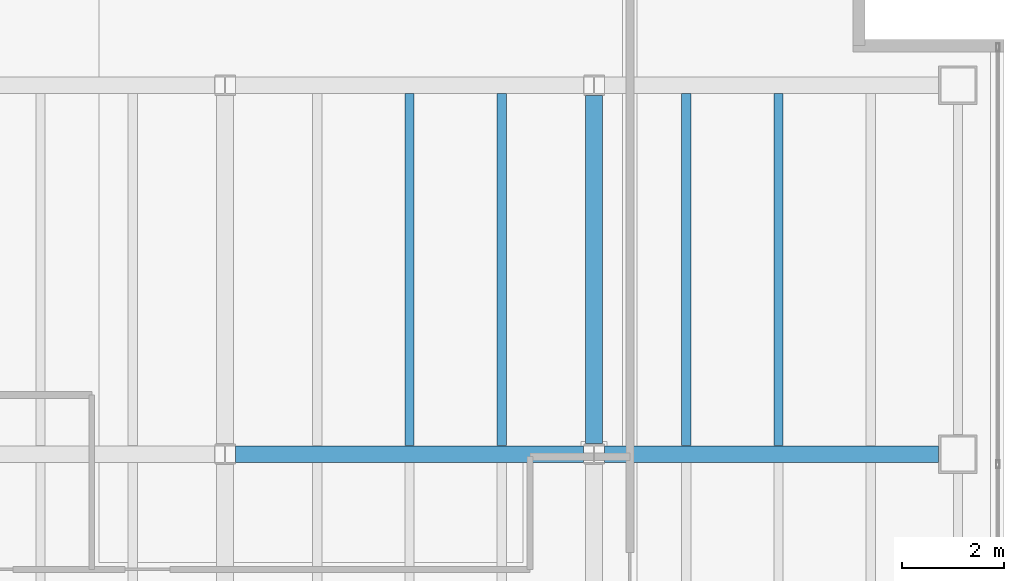
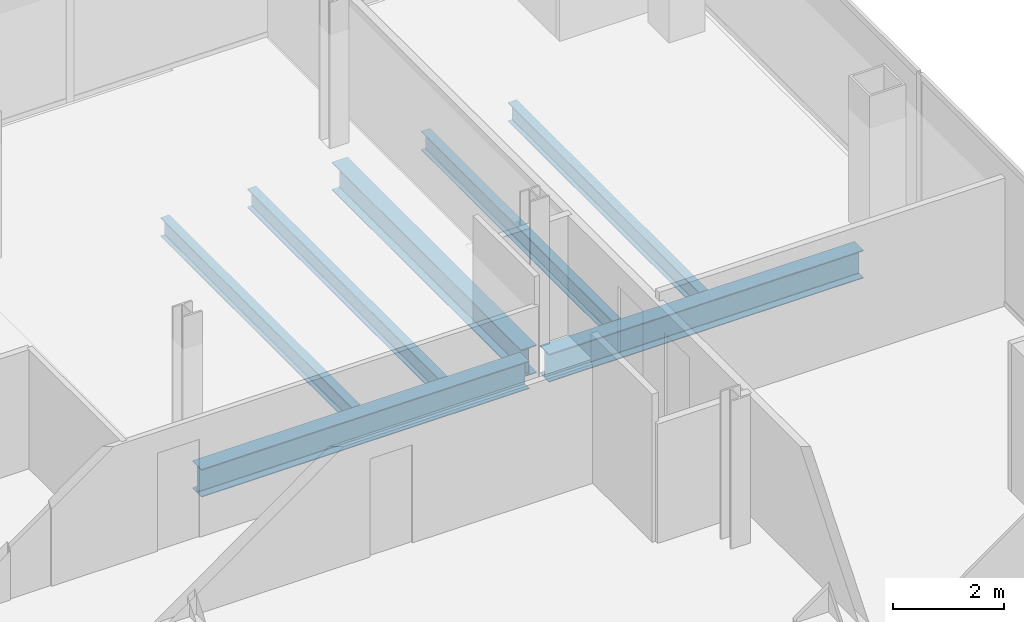
# One storey, part 13 of 23: 7 beams.
"""IFC4 building model written with IfcOpenShell, lengths in metres."""

from ifc_helpers import new_model, si_unit, direction, frame, origin, origin_2d, place, context, subcontext, project, spatial, i_section, extrude, material, material_profile, profile_set, type_object, element, save


model = new_model("IFC4")

# Units and contexts
model_context = context("Model", 3, precision=1e-05, world=origin(), true_north=direction((0.0, 1.0)))
body_context = subcontext(model_context, "Body", "Model", "MODEL_VIEW")
ifc_project = project(units=[si_unit("LENGTHUNIT", "METRE"), si_unit("AREAUNIT", "SQUARE_METRE"), si_unit("VOLUMEUNIT", "CUBIC_METRE"), si_unit("PLANEANGLEUNIT", "RADIAN"), si_unit("MASSUNIT", "GRAM", prefix="KILO")], contexts=[model_context])

# Site, building, storey
site_placement = place(None, origin())
site = spatial("IfcSite", under=ifc_project, at=site_placement, CompositionType="ELEMENT")
building_placement = place(site_placement, origin())
building = spatial("IfcBuilding", under=site, at=building_placement, Name="Cobrela Telecom Tower", CompositionType="ELEMENT")
storey_placement = place(building_placement, frame((0.0, 0.0, 225.75)))
storey = spatial("IfcBuildingStorey", under=building, at=storey_placement, Name="L58", CompositionType="ELEMENT", Elevation=225.75)

# Beams
ifc_material = material(Name="Steel ASTM A992 Grade 50", Category="steel")
ifc_material_profile_1 = material_profile(ifc_material, i_section(OverallWidth=0.324951171875, OverallDepth=0.612060546875, WebThickness=0.0126953125, FlangeThickness=0.01904296875, FilletRadius=0.014892578125, at=origin_2d()), Name="W24X104")
ifc_profile_set_1 = profile_set([ifc_material_profile_1], Name="Steel ASTM A992 Grade 50")
beam_type_1 = type_object("IfcBeamType", Name="BM-GIRD-07", PredefinedType="USERDEFINED", material=ifc_profile_set_1)
beam_1_placement = place(storey_placement, frame((29.00439453125, 14.39990234375, -0.56591796875), z_axis=(1.0, 0.0, 0.0), x_axis=(0.0, 1.0, 0.0)))
element("IfcBeam", 1, at=beam_1_placement, inside=storey, type_object=beam_type_1, Name="L58 Primary Girder X13", ObjectType="GIRDER", PredefinedType="USERDEFINED", context=body_context, shape_type="SweptSolid", body=[
    extrude(i_section(OverallWidth=0.324951171875, OverallDepth=0.612060546875, WebThickness=0.0126953125, FlangeThickness=0.01904296875, FilletRadius=0.014892578125, at=origin_2d()), origin(), (0.0, 0.0, 1.0), 6.791015625),
])
beam_2_placement = place(storey_placement, frame((36.20458984375, 14.39990234375, -0.56591796875), z_axis=(1.0, 0.0, 0.0), x_axis=(0.0, 1.0, 0.0)))
element("IfcBeam", 2, at=beam_2_placement, inside=storey, type_object=beam_type_1, Name="L58 Primary Girder X14", ObjectType="GIRDER", PredefinedType="USERDEFINED", context=body_context, shape_type="SweptSolid", body=[
    extrude(i_section(OverallWidth=0.324951171875, OverallDepth=0.612060546875, WebThickness=0.0126953125, FlangeThickness=0.01904296875, FilletRadius=0.014892578125, at=origin_2d()), origin(), (0.0, 0.0, 1.0), 6.515380859375),
])
beam_3_placement = place(storey_placement, frame((36.0, 14.6044921875, -0.56591796875), z_axis=(0.0, 1.0, 0.0), x_axis=(-1.0, 0.0, 0.0)))
element("IfcBeam", 3, at=beam_3_placement, inside=storey, type_object=beam_type_1, Name="L58 Primary Girder Y41", ObjectType="GIRDER", PredefinedType="USERDEFINED", context=body_context, shape_type="SweptSolid", body=[
    extrude(i_section(OverallWidth=0.324951171875, OverallDepth=0.612060546875, WebThickness=0.0126953125, FlangeThickness=0.01904296875, FilletRadius=0.014892578125, at=origin_2d()), origin(), (0.0, 0.0, 1.0), 6.791015625),
])
ifc_material_profile_2 = material_profile(ifc_material, i_section(OverallWidth=0.179931640625, OverallDepth=0.4169921875, WebThickness=0.010986328125, FlangeThickness=0.01806640625, FilletRadius=0.011962890625, at=origin_2d()), Name="W16X57")
ifc_profile_set_2 = profile_set([ifc_material_profile_2], Name="Steel ASTM A992 Grade 50")
beam_type_2 = type_object("IfcBeamType", Name="BM-JOIST-04", PredefinedType="JOIST", material=ifc_profile_set_2)
for number, where, z_axis, x_axis, name in (
    (4, (32.39990234375, 14.5673828125, -0.468505859375), (0.0, 1.0, 0.0), (-1.0, 0.0, 0.0), "L58 Secondary Composite Floor Beam J22"),
    (5, (34.199951171875, 14.5673828125, -0.468505859375), (0.0, 1.0, 0.0), (-1.0, 0.0, 0.0), "L58 Secondary Composite Floor Beam J24"),
    (6, (37.800048828125, 14.5673828125, -0.468505859375), (0.0, 1.0, 0.0), (-1.0, 0.0, 0.0), "L58 Secondary Composite Floor Beam J26"),
    (7, (39.60009765625, 14.5673828125, -0.468505859375), (0.0, 1.0, 0.0), (-1.0, 0.0, 0.0), "L58 Secondary Composite Floor Beam J28"),
):
    element("IfcBeam", number, at=place(storey_placement, frame(where, z_axis=z_axis, x_axis=x_axis)), inside=storey, type_object=beam_type_2, Name=name, PredefinedType="JOIST", context=body_context, shape_type="SweptSolid", body=[
        extrude(i_section(OverallWidth=0.179931640625, OverallDepth=0.4169921875, WebThickness=0.010986328125, FlangeThickness=0.01806640625, FilletRadius=0.011962890625, at=origin_2d()), origin(), (0.0, 0.0, 1.0), 6.865234375),
    ])

save(model, "model.ifc")
